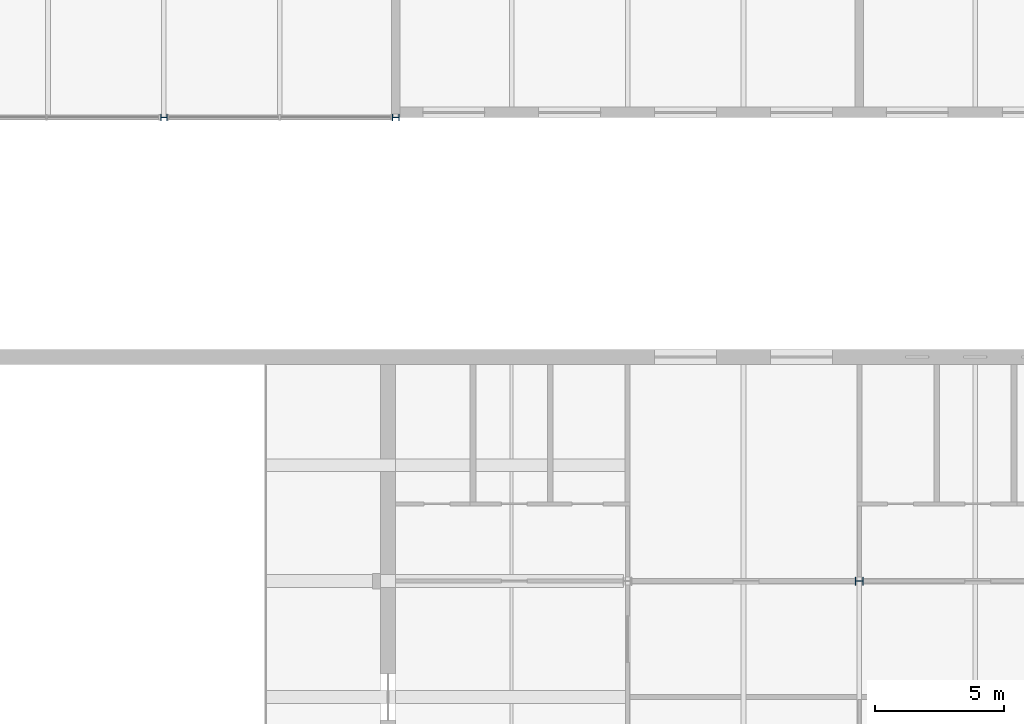
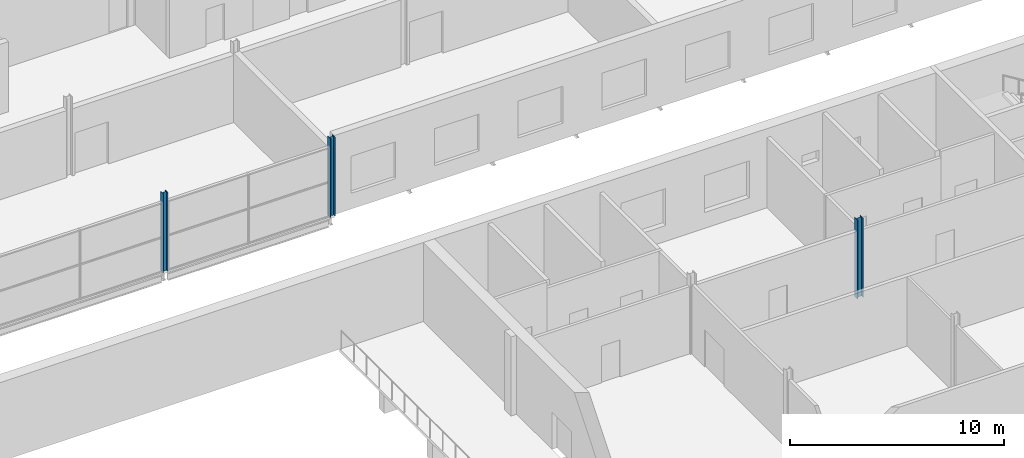
# One storey, part 25 of 97: 3 columns.
"""IFC4 building model written with IfcOpenShell, lengths in metres."""

from ifc_helpers import new_model, si_unit, direction, frame, origin, origin_2d, place, context, subcontext, project, spatial, i_section, extrude, material, material_profile, profile_set, type_object, element, save


model = new_model("IFC4")

# Units and contexts
model_context = context("Model", 3, precision=1e-05, world=origin(), true_north=direction((0.0, 1.0)))
body_context = subcontext(model_context, "Body", "Model", "MODEL_VIEW")
ifc_project = project(units=[si_unit("LENGTHUNIT", "METRE"), si_unit("AREAUNIT", "SQUARE_METRE"), si_unit("VOLUMEUNIT", "CUBIC_METRE"), si_unit("PLANEANGLEUNIT", "RADIAN"), si_unit("MASSUNIT", "GRAM", prefix="KILO")], contexts=[model_context])

# Site, building, storey
site_placement = place(None, origin())
site = spatial("IfcSite", under=ifc_project, at=site_placement, CompositionType="ELEMENT")
building_placement = place(site_placement, origin())
building = spatial("IfcBuilding", under=site, at=building_placement, Name="Corbel Yard City Hall", CompositionType="ELEMENT")
storey_placement = place(building_placement, frame((0.0, 0.0, 6.0)))
storey = spatial("IfcBuildingStorey", under=building, at=storey_placement, Name="L01", CompositionType="ELEMENT", Elevation=6.0)

# Columns
ifc_material = material(Name="Steel Grade 300 (300 MPa yield)", Category="steel")
ifc_material_profile_1 = material_profile(ifc_material, i_section(OverallWidth=0.256103515625, OverallDepth=0.260009765625, WebThickness=0.010498046875, FlangeThickness=0.017333984375, at=origin_2d()), Name="250UC89.5")
ifc_profile_set_1 = profile_set([ifc_material_profile_1], Name="Steel Grade 300 (300 MPa yield)")
column_type_1 = type_object("IfcColumnType", Name="Column 250UC89.5", PredefinedType="COLUMN", material=ifc_profile_set_1)
for number, where, z_axis, x_axis, name in (
    (1, (135.0, 90.0, 0.0), (0.0, 0.0, 1.0), (0.0, 1.0, 0.0), "Column 250UC89.5 K/16 L01"),
    (2, (144.0, 90.0, 0.0), (0.0, 0.0, 1.0), (0.0, 1.0, 0.0), "Column 250UC89.5 K/17 L01"),
):
    element("IfcColumn", number, at=place(storey_placement, frame(where, z_axis=z_axis, x_axis=x_axis)), inside=storey, type_object=column_type_1, Name=name, PredefinedType="COLUMN", context=body_context, shape_type="SweptSolid", body=[
        extrude(i_section(OverallWidth=0.256103515625, OverallDepth=0.260009765625, WebThickness=0.010498046875, FlangeThickness=0.017333984375, at=origin_2d()), origin(), (0.0, 0.0, 1.0), 4.5),
    ])
ifc_material_profile_2 = material_profile(ifc_material, i_section(OverallWidth=0.306884765625, OverallDepth=0.31494140625, WebThickness=0.011962890625, FlangeThickness=0.018798828125, at=origin_2d()), Name="310UC118")
ifc_profile_set_2 = profile_set([ifc_material_profile_2], Name="Steel Grade 300 (300 MPa yield)")
column_type_2 = type_object("IfcColumnType", Name="Column 310UC118", PredefinedType="COLUMN", material=ifc_profile_set_2)
column_placement = place(storey_placement, frame((162.0, 72.0, 0.0), z_axis=(0.0, 0.0, 1.0), x_axis=(0.0, 1.0, 0.0)))
element("IfcColumn", 3, at=column_placement, inside=storey, type_object=column_type_2, Name="Column 310UC118 I/19 L01", PredefinedType="COLUMN", context=body_context, shape_type="SweptSolid", body=[
    extrude(i_section(OverallWidth=0.306884765625, OverallDepth=0.31494140625, WebThickness=0.011962890625, FlangeThickness=0.018798828125, at=origin_2d()), origin(), (0.0, 0.0, 1.0), 4.5),
])

save(model, "model.ifc")
